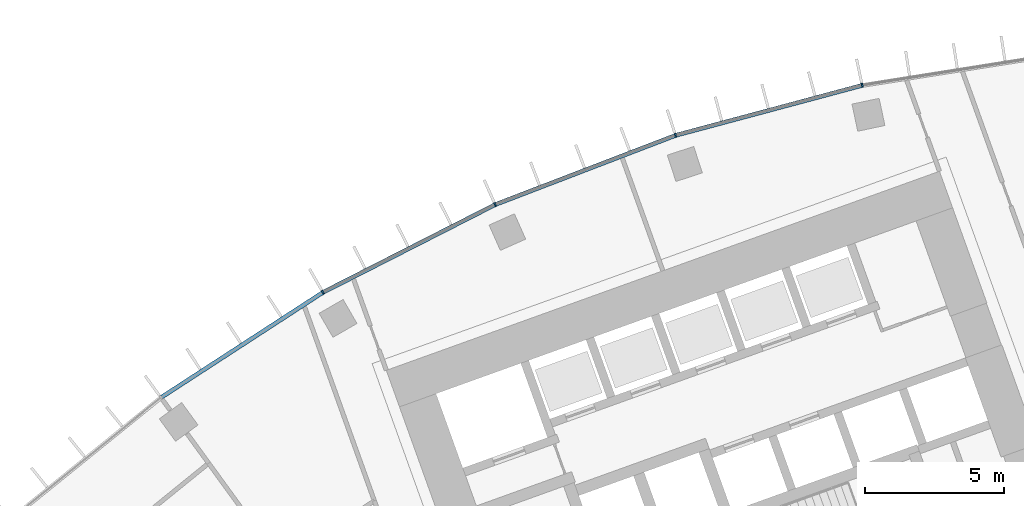
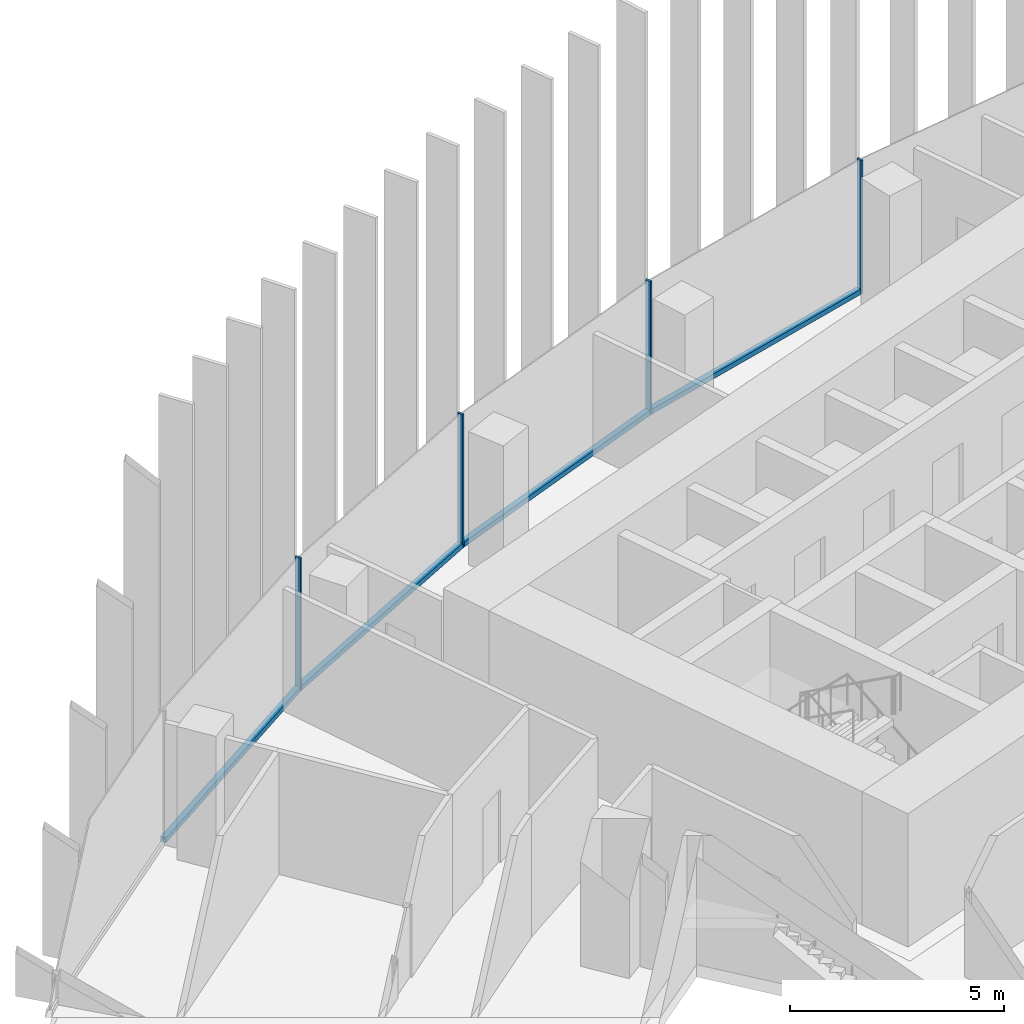
# One storey, part 6 of 23: 8 members, 1 element without a shape of its own.
"""IFC4 building model written with IfcOpenShell, lengths in metres."""

import ifcopenshell
import ifcopenshell.guid

model = None  # the IFC model being written
_history = None  # IfcOwnerHistory: only IFC2X3 demands one
_inside = {}  # id of a spatial element -> (the spatial element, [elements in it])
_under = {}  # id of a project, library or spatial element -> (it, [spatial elements below it])
_declared = {}  # id of a project -> (the project, [libraries it declares])
_typed = {}  # id of a type object -> (the type object, [elements of that type])
_made_of = {}  # id of a material, layer set ... -> (it, [elements and type objects made of it])


def new_model(schema):
    """Start an empty IFC model of exactly this schema.

    Asked for "IFC4X3", IfcOpenShell would pick the latest addendum, in which some entities
    have other attributes; the version numbers below select the first issue.
    IFC2X3 requires an IfcOwnerHistory on every rooted entity: one is made here for all.
    """
    global model, _history
    if schema == "IFC4X3":
        model = ifcopenshell.file(schema_version=(4, 3, 0, 0))
    else:
        model = ifcopenshell.file(schema=schema)
    _inside.clear()
    _under.clear()
    _declared.clear()
    _typed.clear()
    _made_of.clear()
    _history = None
    if model.schema == "IFC2X3":
        org = make("IfcOrganization", Name="unknown")
        user = make(
            "IfcPersonAndOrganization",
            ThePerson=make("IfcPerson", FamilyName="unknown"),
            TheOrganization=org,
        )
        app = make(
            "IfcApplication",
            ApplicationDeveloper=org,
            Version="unknown",
            ApplicationFullName="unknown",
            ApplicationIdentifier="unknown",
        )
        _history = make(
            "IfcOwnerHistory",
            OwningUser=user,
            OwningApplication=app,
            ChangeAction="ADDED",
            CreationDate=0,
        )
    return model


def make(cls, **values):
    """One entity of the class cls with the attributes given. An attribute that is None is left unset."""
    return model.create_entity(
        cls, **{name: value for name, value in values.items() if value is not None}
    )


def rooted(cls, **values):
    """An entity with a GlobalId (a new one), such as an element, a storey or a relation."""
    return make(cls, GlobalId=ifcopenshell.guid.new(), OwnerHistory=_history, **values)


def si_unit(unit_type, name, prefix=None):
    """IfcSIUnit, for example si_unit("LENGTHUNIT", "METRE", prefix="MILLI")."""
    return make("IfcSIUnit", UnitType=unit_type, Prefix=prefix, Name=name)


def assignment(units):
    """IfcUnitAssignment: the units of a project."""
    return None if units is None else make("IfcUnitAssignment", Units=units)


def point(xyz):
    """IfcCartesianPoint."""
    return None if xyz is None else make("IfcCartesianPoint", Coordinates=xyz)


def direction(xyz):
    """IfcDirection."""
    return None if xyz is None else make("IfcDirection", DirectionRatios=xyz)


def frame(location, z_axis=None, x_axis=None):
    """IfcAxis2Placement3D, a coordinate frame: its origin and axes. An axis left out is left unset."""
    return make(
        "IfcAxis2Placement3D",
        Location=point(location),
        Axis=direction(z_axis),
        RefDirection=direction(x_axis),
    )


def frame_2d(location, x_axis=None):
    """IfcAxis2Placement2D, a coordinate frame in the plane: its origin and x axis."""
    return make(
        "IfcAxis2Placement2D", Location=point(location), RefDirection=direction(x_axis)
    )


def origin():
    """The frame at (0, 0, 0) with its axes left unset."""
    return frame((0.0, 0.0, 0.0))


def origin_2d():
    """The frame at (0, 0) in the plane with its x axis left unset."""
    return frame_2d((0.0, 0.0))


def place(relative_to, where):
    """IfcLocalPlacement: puts the frame where relative to a parent placement (None: the world)."""
    return make(
        "IfcLocalPlacement", PlacementRelTo=relative_to, RelativePlacement=where
    )


def context(
    kind, dimensions, precision=None, world=None, true_north=None, identifier=None
):
    """IfcGeometricRepresentationContext, for example the 3D "Model" context."""
    return make(
        "IfcGeometricRepresentationContext",
        ContextIdentifier=identifier,
        ContextType=kind,
        CoordinateSpaceDimension=dimensions,
        Precision=precision,
        WorldCoordinateSystem=world,
        TrueNorth=true_north,
    )


def subcontext(parent, identifier, kind, view, scale=None):
    """IfcGeometricRepresentationSubContext, for example "Body" below "Model"."""
    return make(
        "IfcGeometricRepresentationSubContext",
        ContextIdentifier=identifier,
        ContextType=kind,
        ParentContext=parent,
        TargetScale=scale,
        TargetView=view,
    )


def project(units=None, contexts=None):
    """IfcProject with its units and contexts."""
    return rooted(
        "IfcProject",
        Name="project",
        RepresentationContexts=contexts,
        UnitsInContext=assignment(units),
    )


def spatial(cls, under=None, at=None, **own):
    """A site, building, storey or space (cls), placed at a placement, below another one or the project."""
    s = rooted(cls, ObjectPlacement=at, **own)
    if under is not None:
        _under.setdefault(under.id(), (under, []))[1].append(s)
    return s


def profile(cls, at=None, kind="AREA", **sizes):
    """A parametric profile (cls). Its sizes go by their IFC names, for example OverallWidth=200.0."""
    return make(cls, ProfileType=kind, Position=at, **sizes)


def rectangle(**sizes):
    """IfcRectangleProfileDef."""
    return profile("IfcRectangleProfileDef", **sizes)


def extrude(swept, where, along, depth):
    """IfcExtrudedAreaSolid: the profile swept, set in the frame where, extruded along a direction by depth."""
    return make(
        "IfcExtrudedAreaSolid",
        SweptArea=swept,
        Position=where,
        ExtrudedDirection=direction(along),
        Depth=depth,
    )


def shape(context_of_items, identifier, shape_type, items):
    """IfcShapeRepresentation: the items that make up one representation, for example the "Body"."""
    return make(
        "IfcShapeRepresentation",
        ContextOfItems=context_of_items,
        RepresentationIdentifier=identifier,
        RepresentationType=shape_type,
        Items=items,
    )


def material(Name=None, Category=None):
    """IfcMaterial."""
    return make("IfcMaterial", Name=Name, Category=Category)


def layer(
    of_material, thickness, ventilated=None, Name=None, Category=None, Priority=None
):
    """IfcMaterialLayer: one layer of a wall or slab, of a material (None: an air gap)."""
    return make(
        "IfcMaterialLayer",
        Material=of_material,
        LayerThickness=thickness,
        IsVentilated=ventilated,
        Name=Name,
        Category=Category,
        Priority=Priority,
    )


def layer_set(layers, Name=None):
    """IfcMaterialLayerSet."""
    return make("IfcMaterialLayerSet", MaterialLayers=layers, LayerSetName=Name)


def material_profile(
    of_material, cross_section, Name=None, Category=None, Priority=None
):
    """IfcMaterialProfile: a cross section and its material."""
    return make(
        "IfcMaterialProfile",
        Name=Name,
        Material=of_material,
        Profile=cross_section,
        Priority=Priority,
        Category=Category,
    )


def profile_set(profiles, Name=None, composite=None):
    """IfcMaterialProfileSet."""
    return make(
        "IfcMaterialProfileSet",
        Name=Name,
        MaterialProfiles=profiles,
        CompositeProfile=composite,
    )


def made_of(thing, what):
    """Note that an element or type object is made of a material, layer set ...; save() writes the relation."""
    if what is not None:
        _made_of.setdefault(what.id(), (what, []))[1].append(thing)
    return thing


def type_object(cls, material=None, **own):
    """A type object (cls), such as IfcWallType, which elements share."""
    return made_of(rooted(cls, **own), material)


def element(
    cls,
    number,
    at=None,
    inside=None,
    cuts=None,
    type_object=None,
    material=None,
    context=None,
    identifier="Body",
    shape_type=None,
    held_by="IfcProductDefinitionShape",
    body=None,
    shapes=None,
    **own,
):
    """One element of the class cls, such as IfcWall. Its Tag is "e" and its number.

    at: its placement. inside: the storey or other place that contains it. cuts: it is an
    opening in that element (IfcRelVoidsElement). A single representation is given by context,
    identifier, shape_type and body (its items); several are given by shapes. held_by: the class
    of the entity that holds the representations. save() writes the other relations.
    """
    e = rooted(cls, Tag="e%d" % number, ObjectPlacement=at, **own)
    if body is not None:
        shapes = [shape(context, identifier, shape_type, body)]
    if shapes is not None:
        e.Representation = make(held_by, Representations=shapes)
    if inside is not None:
        _inside.setdefault(inside.id(), (inside, []))[1].append(e)
    if cuts is not None:
        rooted(
            "IfcRelVoidsElement", RelatingBuildingElement=cuts, RelatedOpeningElement=e
        )
    if type_object is not None:
        _typed.setdefault(type_object.id(), (type_object, []))[1].append(e)
    return made_of(e, material)


def aggregate(whole, parts):
    """IfcRelAggregates: a whole, such as a stair, and the parts it consists of."""
    return rooted("IfcRelAggregates", RelatingObject=whole, RelatedObjects=parts)


def save(model, path):
    """Write the relations noted so far, then the file.

    IfcRelAggregates (storeys below a building ...), IfcRelContainedInSpatialStructure (elements
    in a storey), IfcRelDefinesByType, IfcRelAssociatesMaterial and IfcRelDeclares: one each for
    every whole, place, type object, material and project.
    """
    for whole, parts in _under.values():
        aggregate(whole, parts)
    for where, things in _inside.values():
        rooted(
            "IfcRelContainedInSpatialStructure",
            RelatedElements=things,
            RelatingStructure=where,
        )
    for kind, things in _typed.values():
        rooted("IfcRelDefinesByType", RelatedObjects=things, RelatingType=kind)
    for what, things in _made_of.values():
        rooted("IfcRelAssociatesMaterial", RelatedObjects=things, RelatingMaterial=what)
    for by, libraries in _declared.values():
        rooted("IfcRelDeclares", RelatingContext=by, RelatedDefinitions=libraries)
    model.write(path)


model = new_model("IFC4")

# Units and contexts
model_context = context("Model", 3, precision=1e-05, world=origin(), true_north=direction((0.0, 1.0)))
body_context = subcontext(model_context, "Body", "Model", "MODEL_VIEW")
ifc_project = project(units=[si_unit("LENGTHUNIT", "METRE"), si_unit("AREAUNIT", "SQUARE_METRE"), si_unit("VOLUMEUNIT", "CUBIC_METRE"), si_unit("PLANEANGLEUNIT", "RADIAN"), si_unit("MASSUNIT", "GRAM", prefix="KILO")], contexts=[model_context])

# Site, building, storey
site_placement = place(None, origin())
site = spatial("IfcSite", under=ifc_project, at=site_placement, CompositionType="ELEMENT")
building_placement = place(site_placement, origin())
building = spatial("IfcBuilding", under=site, at=building_placement, Name="Stone Belt Terrace Tower", CompositionType="ELEMENT")
storey_placement = place(building_placement, frame((0.0, 0.0, 144.0)))
storey = spatial("IfcBuildingStorey", under=building, at=storey_placement, Name="L34", CompositionType="ELEMENT", Elevation=144.0)

# Curtain wall, members
ifc_material = material(Name="Aluminium 6063-T6 anodised frame", Category="aluminium")
ifc_layer = layer(ifc_material, 0.14990234375)
ifc_layer_set = layer_set([ifc_layer], Name="CW-A unitised convex-face curtain wall")
curtain_wall_type = type_object("IfcCurtainWallType", Name="CW-A unitised convex-face curtain wall", PredefinedType="NOTDEFINED", material=ifc_layer_set)
curtain_wall_placement = place(storey_placement, origin())
curtain_wall = element("IfcCurtainWall", 1, at=curtain_wall_placement, inside=storey, type_object=curtain_wall_type, Name="CW-A convex face L34", PredefinedType="NOTDEFINED")
ifc_material_profile_1 = material_profile(ifc_material, rectangle(XDim=0.14990234375, YDim=0.06005859375, at=origin_2d()), Name="Aluminium 6063-T6 60x150")
ifc_profile_set_1 = profile_set([ifc_material_profile_1], Name="Aluminium 6063-T6 anodised frame")
member_type_1 = type_object("IfcMemberType", Name="CW-A mullion 60 x 150", PredefinedType="MULLION", material=ifc_profile_set_1)
member_1_placement = place(storey_placement, frame((-13.841796875, 65.120361328125, 0.0), z_axis=(0.0, 0.0, 1.0), x_axis=(0.207911690818, -0.978147600734, 0.0)))
member_1 = element("IfcMember", 2, at=member_1_placement, type_object=member_type_1, Name="CW-A mullion 11", PredefinedType="MULLION", context=body_context, shape_type="SweptSolid", body=[
    extrude(rectangle(XDim=0.14990234375, YDim=0.06005859375, at=origin_2d()), origin(), (0.0, 0.0, 1.0), 3.800048828125),
])
member_2_placement = place(storey_placement, frame((-20.57275390625, 63.316650390625, 0.0), z_axis=(0.0, 0.0, 1.0), x_axis=(0.309016994375, -0.951056516295, 0.0)))
member_2 = element("IfcMember", 3, at=member_2_placement, type_object=member_type_1, Name="CW-A mullion 12", PredefinedType="MULLION", context=body_context, shape_type="SweptSolid", body=[
    extrude(rectangle(XDim=0.14990234375, YDim=0.06005859375, at=origin_2d()), origin(), (0.0, 0.0, 1.0), 3.800048828125),
])
member_3_placement = place(storey_placement, frame((-27.07861328125, 60.8193359375, 0.0), z_axis=(0.0, 0.0, 1.0), x_axis=(0.406736643076, -0.913545457643, 0.0)))
member_3 = element("IfcMember", 4, at=member_3_placement, type_object=member_type_1, Name="CW-A mullion 13", PredefinedType="MULLION", context=body_context, shape_type="SweptSolid", body=[
    extrude(rectangle(XDim=0.14990234375, YDim=0.06005859375, at=origin_2d()), origin(), (0.0, 0.0, 1.0), 3.800048828125),
])
member_4_placement = place(storey_placement, frame((-33.28759765625, 57.65576171875, 0.0), z_axis=(0.0, 0.0, 1.0), x_axis=(0.5, -0.866025403784, 0.0)))
member_4 = element("IfcMember", 5, at=member_4_placement, type_object=member_type_1, Name="CW-A mullion 14", PredefinedType="MULLION", context=body_context, shape_type="SweptSolid", body=[
    extrude(rectangle(XDim=0.14990234375, YDim=0.06005859375, at=origin_2d()), origin(), (0.0, 0.0, 1.0), 3.800048828125),
])
ifc_material_profile_2 = material_profile(ifc_material, rectangle(XDim=0.14990234375, YDim=0.139892578125, at=origin_2d()), Name="Aluminium 6063-T6 150x140")
ifc_profile_set_2 = profile_set([ifc_material_profile_2], Name="Aluminium 6063-T6 anodised frame")
member_type_2 = type_object("IfcMemberType", Name="CW-A transom 140 x 150", PredefinedType="USERDEFINED", material=ifc_profile_set_2)
member_5_placement = place(storey_placement, frame((-13.87451171875, 65.111572265625, 0.070068359375), z_axis=(-0.965921835863, -0.258833937117, 0.0), x_axis=(0.258833937117, -0.965921835863, 0.0)))
member_5 = element("IfcMember", 6, at=member_5_placement, type_object=member_type_2, Name="CW-A transom 11.1", ObjectType="TRANSOM", PredefinedType="USERDEFINED", context=body_context, shape_type="SweptSolid", body=[
    extrude(rectangle(XDim=0.14990234375, YDim=0.139892578125, at=origin_2d()), origin(), (0.0, 0.0, 1.0), 6.900634765625),
])
member_6_placement = place(storey_placement, frame((-20.6044921875, 63.304443359375, 0.070068359375), z_axis=(-0.933585210269, -0.358355487146, 0.0), x_axis=(0.358355487146, -0.933585210269, 0.0)))
member_6 = element("IfcMember", 7, at=member_6_placement, type_object=member_type_2, Name="CW-A transom 12.1", ObjectType="TRANSOM", PredefinedType="USERDEFINED", context=body_context, shape_type="SweptSolid", body=[
    extrude(rectangle(XDim=0.14990234375, YDim=0.139892578125, at=origin_2d()), origin(), (0.0, 0.0, 1.0), 6.900634765625),
])
member_7_placement = place(storey_placement, frame((-27.108642578125, 60.803955078125, 0.070068359375), z_axis=(-0.891012226264, -0.453979308613, 0.0), x_axis=(0.453979308613, -0.891012226264, 0.0)))
member_7 = element("IfcMember", 8, at=member_7_placement, type_object=member_type_2, Name="CW-A transom 13.1", ObjectType="TRANSOM", PredefinedType="USERDEFINED", context=body_context, shape_type="SweptSolid", body=[
    extrude(rectangle(XDim=0.14990234375, YDim=0.139892578125, at=origin_2d()), origin(), (0.0, 0.0, 1.0), 6.90087890625),
])
member_8_placement = place(storey_placement, frame((-33.31591796875, 57.63720703125, 0.070068359375), z_axis=(-0.83868440714, -0.544617723931, 0.0), x_axis=(0.544617723931, -0.83868440714, 0.0)))
member_8 = element("IfcMember", 9, at=member_8_placement, type_object=member_type_2, Name="CW-A transom 14.1", ObjectType="TRANSOM", PredefinedType="USERDEFINED", context=body_context, shape_type="SweptSolid", body=[
    extrude(rectangle(XDim=0.14990234375, YDim=0.139892578125, at=origin_2d()), origin(), (0.0, 0.0, 1.0), 6.90087890625),
])
aggregate(curtain_wall, [member_1, member_2, member_3, member_4, member_5, member_6, member_7, member_8])

save(model, "model.ifc")
